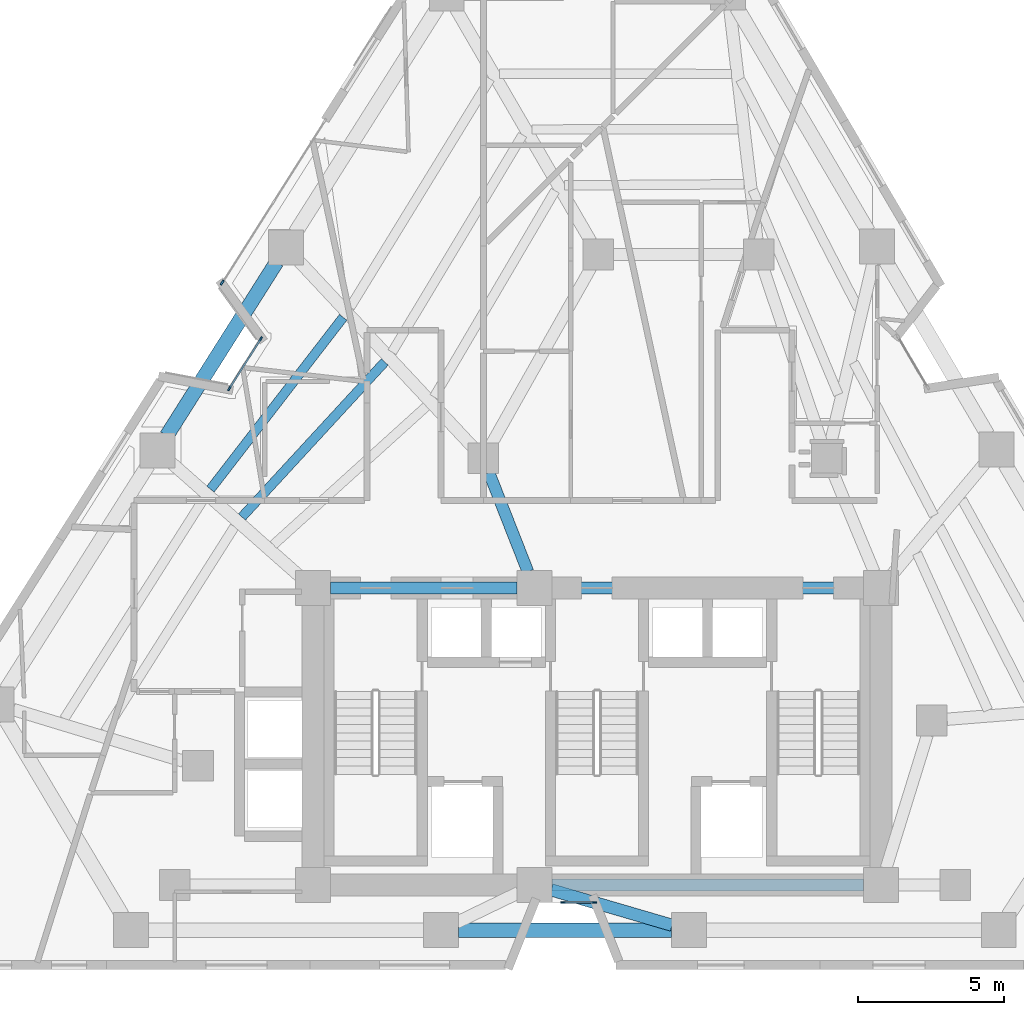
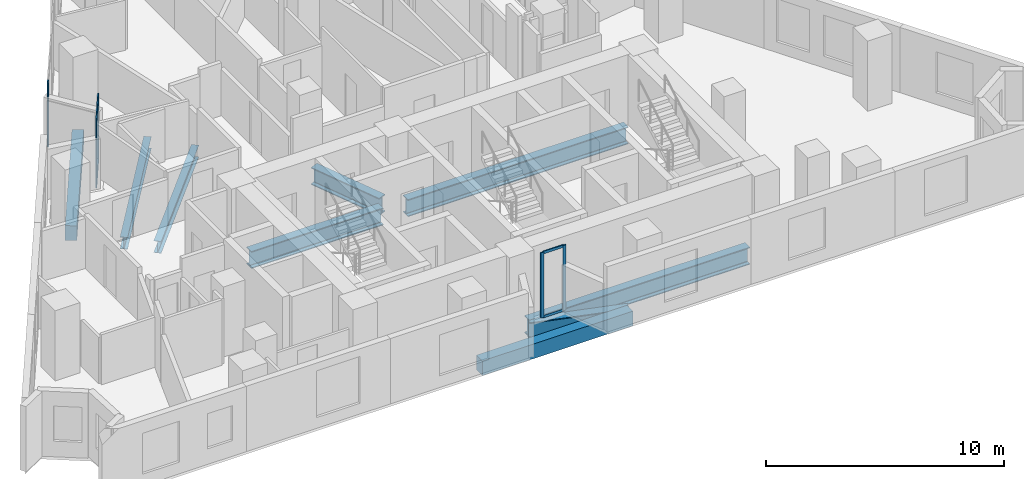
# One storey, part 2 of 12: 9 beams, 9 members, 3 elements without a shape of their own.
"""IFC4 building model written with IfcOpenShell, lengths in metres."""

from ifc_helpers import new_model, si_unit, direction, frame, origin, origin_2d, place, context, subcontext, project, spatial, rectangle, i_section, extrude, material, layer, layer_set, material_profile, profile_set, type_object, element, aggregate, save


model = new_model("IFC4")

# Units and contexts
model_context = context("Model", 3, precision=1e-05, world=origin(), true_north=direction((0.0, 1.0)))
body_context = subcontext(model_context, "Body", "Model", "MODEL_VIEW")
ifc_project = project(units=[si_unit("LENGTHUNIT", "METRE"), si_unit("AREAUNIT", "SQUARE_METRE"), si_unit("VOLUMEUNIT", "CUBIC_METRE"), si_unit("PLANEANGLEUNIT", "RADIAN"), si_unit("MASSUNIT", "GRAM", prefix="KILO")], contexts=[model_context])

# Site, building, storey
site_placement = place(None, origin())
site = spatial("IfcSite", under=ifc_project, at=site_placement, CompositionType="ELEMENT")
building_placement = place(site_placement, origin())
building = spatial("IfcBuilding", under=site, at=building_placement, Name="Almagre Mirador Tower", CompositionType="ELEMENT")
storey_placement = place(building_placement, frame((0.0, 0.0, 114.0)))
storey = spatial("IfcBuildingStorey", under=building, at=storey_placement, Name="L28", CompositionType="ELEMENT", Elevation=114.0)

# Beams
ifc_material_1 = material(Name="Steel ASTM A992 Grade 50", Category="steel")
ifc_material_profile_1 = material_profile(ifc_material_1, i_section(OverallWidth=0.323974609375, OverallDepth=0.611083984375, WebThickness=0.0126953125, FlangeThickness=0.01904296875, FilletRadius=0.02001953125, at=origin_2d()), Name="W24X104")
ifc_profile_set_1 = profile_set([ifc_material_profile_1], Name="Steel ASTM A992 Grade 50")
beam_type_1 = type_object("IfcBeamType", Name="BM-JST-W24X104", PredefinedType="JOIST", material=ifc_profile_set_1)
beam_1_placement = place(storey_placement, frame((28.585205078125, 24.04150390625, -0.555419921875), z_axis=(-0.611154781885, -0.791511107047, 0.0), x_axis=(0.791511107047, -0.611154781885, 0.0)))
element("IfcBeam", 1, at=beam_1_placement, inside=storey, type_object=beam_type_1, Name="L28 secondary floor joist PC10-PC11.1", PredefinedType="JOIST", context=body_context, shape_type="SweptSolid", body=[
    extrude(i_section(OverallWidth=0.323974609375, OverallDepth=0.611083984375, WebThickness=0.0126953125, FlangeThickness=0.01904296875, FilletRadius=0.02001953125, at=origin_2d()), origin(), (0.0, 0.0, 1.0), 7.45458984375),
])
beam_2_placement = place(storey_placement, frame((30.013671875, 22.511474609375, -0.555419921875), z_axis=(-0.677434935898, -0.735582699378, 0.0), x_axis=(0.735582699378, -0.677434935898, 0.0)))
element("IfcBeam", 2, at=beam_2_placement, inside=storey, type_object=beam_type_1, Name="L28 secondary floor joist PC10-PC11.2", PredefinedType="JOIST", context=body_context, shape_type="SweptSolid", body=[
    extrude(i_section(OverallWidth=0.323974609375, OverallDepth=0.611083984375, WebThickness=0.0126953125, FlangeThickness=0.01904296875, FilletRadius=0.02001953125, at=origin_2d()), origin(), (0.0, 0.0, 1.0), 7.238525390625),
])
ifc_material_2 = material(Name="Precast concrete C50/60", Category="concrete")
ifc_material_profile_2 = material_profile(ifc_material_2, rectangle(XDim=0.5, YDim=0.75, at=origin_2d()), Name="RC500X750")
ifc_profile_set_2 = profile_set([ifc_material_profile_2], Name="Precast concrete C50/60")
beam_type_2 = type_object("IfcBeamType", Name="BM-SPN-RC500X750", PredefinedType="SPANDREL", material=ifc_profile_set_2)
beam_3_placement = place(storey_placement, frame((32.5439453125, 3.0, -0.625), z_axis=(1.0, 0.0, 0.0), x_axis=(0.0, 1.0, 0.0)))
element("IfcBeam", 3, at=beam_3_placement, inside=storey, type_object=beam_type_2, Name="L28 perimeter spandrel beam PC02-PC03", PredefinedType="SPANDREL", context=body_context, shape_type="SweptSolid", body=[
    extrude(rectangle(XDim=0.5, YDim=0.75, at=origin_2d()), origin(), (0.0, 0.0, 1.0), 7.31201171875),
])
beam_4_placement = place(storey_placement, frame((26.301025390625, 25.93896484375, -0.625), z_axis=(-0.534879207885, -0.844928537198, 0.0), x_axis=(0.844928537198, -0.534879207885, 0.0)))
element("IfcBeam", 4, at=beam_4_placement, inside=storey, type_object=beam_type_2, Name="L28 perimeter spandrel beam PC10-PC11", PredefinedType="SPANDREL", context=body_context, shape_type="SweptSolid", body=[
    extrude(rectangle(XDim=0.5, YDim=0.75, at=origin_2d()), origin(), (0.0, 0.0, 1.0), 7.05615234375),
])
ifc_material_3 = material(Name="Steel ASTM A992 Grade 50", Category="steel")
ifc_material_profile_3 = material_profile(ifc_material_3, i_section(OverallWidth=0.404052734375, OverallDepth=0.884033203125, WebThickness=0.0244140625, FlangeThickness=0.0439453125, FilletRadius=0.02490234375, at=origin_2d()), Name="W33X291")
ifc_profile_set_3 = profile_set([ifc_material_profile_3], Name="Steel ASTM A992 Grade 50")
beam_type_3 = type_object("IfcBeamType", Name="BM-STL-W33X291", PredefinedType="BEAM", material=ifc_profile_set_3)
beam_5_placement = place(storey_placement, frame((35.75, 4.550048828125, -0.69189453125), z_axis=(1.0, 0.0, 0.0), x_axis=(0.0, 1.0, 0.0)))
element("IfcBeam", 5, at=beam_5_placement, inside=storey, type_object=beam_type_3, Name="L28 core tie girder CC2-CC3", PredefinedType="BEAM", context=body_context, shape_type="SweptSolid", body=[
    extrude(i_section(OverallWidth=0.404052734375, OverallDepth=0.884033203125, WebThickness=0.0244140625, FlangeThickness=0.0439453125, FilletRadius=0.02490234375, at=origin_2d()), origin(), (0.0, 0.0, 1.0), 10.699951171875),
])
beam_6_placement = place(storey_placement, frame((28.14990234375, 14.75, -0.69189453125), z_axis=(1.0, 0.0, 0.0), x_axis=(0.0, 1.0, 0.0)))
element("IfcBeam", 6, at=beam_6_placement, inside=storey, type_object=beam_type_3, Name="L28 core tie girder CC4-CC5", PredefinedType="BEAM", context=body_context, shape_type="SweptSolid", body=[
    extrude(i_section(OverallWidth=0.404052734375, OverallDepth=0.884033203125, WebThickness=0.0244140625, FlangeThickness=0.0439453125, FilletRadius=0.02490234375, at=origin_2d()), origin(), (0.0, 0.0, 1.0), 6.400146484375),
])
beam_7_placement = place(storey_placement, frame((35.75, 14.75, -0.69189453125), z_axis=(1.0, 0.0, 0.0), x_axis=(0.0, 1.0, 0.0)))
element("IfcBeam", 7, at=beam_7_placement, inside=storey, type_object=beam_type_3, Name="L28 core tie girder CC5-CC6", PredefinedType="BEAM", context=body_context, shape_type="SweptSolid", body=[
    extrude(i_section(OverallWidth=0.404052734375, OverallDepth=0.884033203125, WebThickness=0.0244140625, FlangeThickness=0.0439453125, FilletRadius=0.02490234375, at=origin_2d()), origin(), (0.0, 0.0, 1.0), 10.699951171875),
])
beam_8_placement = place(storey_placement, frame((33.592041015625, 18.71142578125, -0.69189453125), z_axis=(0.365997304164, -0.930615910752, 0.0), x_axis=(0.930615910752, 0.365997304164, 0.0)))
element("IfcBeam", 8, at=beam_8_placement, inside=storey, type_object=beam_type_3, Name="L28 core tie girder MC8-CC5", PredefinedType="BEAM", context=body_context, shape_type="SweptSolid", body=[
    extrude(i_section(OverallWidth=0.404052734375, OverallDepth=0.884033203125, WebThickness=0.0244140625, FlangeThickness=0.0439453125, FilletRadius=0.02490234375, at=origin_2d()), origin(), (0.0, 0.0, 1.0), 3.65673828125),
])
ifc_material_4 = material(Name="Steel ASTM A992 Grade 50", Category="steel")
ifc_material_profile_4 = material_profile(ifc_material_4, i_section(OverallWidth=0.423095703125, OverallDepth=0.947998046875, WebThickness=0.02392578125, FlangeThickness=0.042724609375, FilletRadius=0.028076171875, at=origin_2d()), Name="W36X302")
ifc_profile_set_4 = profile_set([ifc_material_profile_4], Name="Steel ASTM A992 Grade 50")
beam_type_4 = type_object("IfcBeamType", Name="BM-STL-W36X302", PredefinedType="BEAM", material=ifc_profile_set_4)
beam_9_placement = place(storey_placement, frame((39.880126953125, 3.168212890625, -0.72412109375), z_axis=(-0.959878605081, 0.280415875991, 0.0), x_axis=(-0.280415875991, -0.959878605081, 0.0)))
element("IfcBeam", 9, at=beam_9_placement, inside=storey, type_object=beam_type_4, Name="L28 radial floor girder PC03-CC2", PredefinedType="BEAM", context=body_context, shape_type="SweptSolid", body=[
    extrude(i_section(OverallWidth=0.423095703125, OverallDepth=0.947998046875, WebThickness=0.02392578125, FlangeThickness=0.042724609375, FilletRadius=0.028076171875, at=origin_2d()), origin(), (0.0, 0.0, 1.0), 4.327880859375),
])

# Curtain wall, members
ifc_material_5 = material(Name="Black anodized aluminium", Category="aluminium")
ifc_layer_1 = layer(ifc_material_5, 0.169921875)
ifc_layer_set_1 = layer_set([ifc_layer_1], Name="Black anodized aluminium")
curtain_wall_type_1 = type_object("IfcCurtainWallType", Name="CW-CRS-SYS", PredefinedType="NOTDEFINED", material=ifc_layer_set_1)
curtain_wall_1_placement = place(storey_placement, origin())
curtain_wall_1 = element("IfcCurtainWall", 10, at=curtain_wall_1_placement, inside=storey, type_object=curtain_wall_type_1, Name="L28 vertical crease curtain wall 01", PredefinedType="NOTDEFINED")
ifc_material_6 = material(Name="Black anodized aluminium", Category="aluminium")
ifc_material_profile_5 = material_profile(ifc_material_6, rectangle(XDim=0.06005859375, YDim=0.14990234375, at=origin_2d()), Name="CWM60X150")
ifc_profile_set_5 = profile_set([ifc_material_profile_5], Name="Black anodized aluminium")
member_type_1 = type_object("IfcMemberType", Name="MBR-CWM60X150", PredefinedType="MULLION", material=ifc_profile_set_5)
member_1_placement = place(storey_placement, frame((24.674072265625, 21.59228515625, 0.0), z_axis=(0.0, 0.0, 1.0), x_axis=(-0.844919983827, 0.534892719084, 0.0)))
member_1 = element("IfcMember", 11, at=member_1_placement, type_object=member_type_1, Name="CW-4 mullion 1", PredefinedType="MULLION", context=body_context, shape_type="SweptSolid", body=[
    extrude(rectangle(XDim=0.06005859375, YDim=0.14990234375, at=origin_2d()), origin(), (0.0, 0.0, 1.0), 3.35009765625),
])
member_2_placement = place(storey_placement, frame((25.760009765625, 23.3076171875, 0.0), z_axis=(0.0, 0.0, 1.0), x_axis=(-0.844919983827, 0.534892719084, 0.0)))
member_2 = element("IfcMember", 12, at=member_2_placement, type_object=member_type_1, Name="CW-4 mullion 2", PredefinedType="MULLION", context=body_context, shape_type="SweptSolid", body=[
    extrude(rectangle(XDim=0.06005859375, YDim=0.14990234375, at=origin_2d()), origin(), (0.0, 0.0, 1.0), 3.35009765625),
])

curtain_wall_2_placement = place(storey_placement, origin())
curtain_wall_2 = element("IfcCurtainWall", 13, at=curtain_wall_2_placement, inside=storey, type_object=curtain_wall_type_1, Name="L28 vertical crease curtain wall 04", PredefinedType="NOTDEFINED")
member_3_placement = place(storey_placement, frame((37.215087890625, 3.949951171875, 0.0), z_axis=(0.0, 0.0, 1.0), x_axis=(0.0, -1.0, 0.0)))
member_3 = element("IfcMember", 14, at=member_3_placement, type_object=member_type_1, Name="CW-4 mullion 1", PredefinedType="MULLION", context=body_context, shape_type="SweptSolid", body=[
    extrude(rectangle(XDim=0.06005859375, YDim=0.14990234375, at=origin_2d()), origin(), (0.0, 0.0, 1.0), 3.35009765625),
])
member_4_placement = place(storey_placement, frame((36.139892578125, 3.949951171875, 0.0), z_axis=(0.0, 0.0, 1.0), x_axis=(0.0, -1.0, 0.0)))
member_4 = element("IfcMember", 15, at=member_4_placement, type_object=member_type_1, Name="CW-4 mullion 2", PredefinedType="MULLION", context=body_context, shape_type="SweptSolid", body=[
    extrude(rectangle(XDim=0.06005859375, YDim=0.14990234375, at=origin_2d()), origin(), (0.0, 0.0, 1.0), 3.35009765625),
])

# Curtain wall, member
ifc_material_7 = material(Name="Black anodized aluminium", Category="aluminium")
ifc_layer_2 = layer(ifc_material_7, 0.199951171875)
ifc_layer_set_2 = layer_set([ifc_layer_2], Name="Black anodized aluminium")
curtain_wall_type_2 = type_object("IfcCurtainWallType", Name="CW-RES-H-SYS", PredefinedType="NOTDEFINED", material=ifc_layer_set_2)
curtain_wall_3_placement = place(storey_placement, origin())
curtain_wall_3 = element("IfcCurtainWall", 16, at=curtain_wall_3_placement, inside=storey, type_object=curtain_wall_type_2, Name="L28 curtain wall run 02", PredefinedType="NOTDEFINED")
ifc_material_8 = material(Name="Black anodized aluminium", Category="aluminium")
ifc_material_profile_6 = material_profile(ifc_material_8, rectangle(XDim=0.06494140625, YDim=0.179931640625, at=origin_2d()), Name="CWM65X180")
ifc_profile_set_6 = profile_set([ifc_material_profile_6], Name="Black anodized aluminium")
member_type_2 = type_object("IfcMemberType", Name="MBR-CWM65X180", PredefinedType="MULLION", material=ifc_profile_set_6)
member_5_placement = place(storey_placement, frame((24.433349609375, 25.232421875, 0.0), z_axis=(0.0, 0.0, 1.0), x_axis=(-0.844923540641, 0.534887100678, 0.0)))
member_5 = element("IfcMember", 17, at=member_5_placement, type_object=member_type_2, Name="CW-3 mullion 1", PredefinedType="MULLION", context=body_context, shape_type="SweptSolid", body=[
    extrude(rectangle(XDim=0.06494140625, YDim=0.179931640625, at=origin_2d()), origin(), (0.0, 0.0, 1.0), 3.35009765625),
])
aggregate(curtain_wall_3, [member_5])

# Member
ifc_material_9 = material(Name="Black anodized aluminium", Category="aluminium")
ifc_material_profile_7 = material_profile(ifc_material_9, rectangle(XDim=0.06005859375, YDim=0.1298828125, at=origin_2d()), Name="CWT60X130")
ifc_profile_set_7 = profile_set([ifc_material_profile_7], Name="Black anodized aluminium")
member_type_3 = type_object("IfcMemberType", Name="MBR-CWT60X130", PredefinedType="USERDEFINED", material=ifc_profile_set_7)
member_6_placement = place(storey_placement, frame((24.690185546875, 21.61767578125, 0.030029296875), z_axis=(0.534869273761, 0.844934825881, 0.0), x_axis=(-0.844934825881, 0.534869273761, 0.0)))
member_6 = element("IfcMember", 18, at=member_6_placement, type_object=member_type_3, Name="CW-4 transom 1.1", ObjectType="TRANSOM", PredefinedType="USERDEFINED", context=body_context, shape_type="SweptSolid", body=[
    extrude(rectangle(XDim=0.06005859375, YDim=0.1298828125, at=origin_2d()), origin(), (0.0, 0.0, 1.0), 1.969970703125),
])

member_7_placement = place(storey_placement, frame((24.690185546875, 21.61767578125, 3.320068359375), z_axis=(0.534869273761, 0.844934825881, 0.0), x_axis=(-0.844934825881, 0.534869273761, 0.0)))
member_7 = element("IfcMember", 19, at=member_7_placement, type_object=member_type_3, Name="CW-4 transom 1.2", ObjectType="TRANSOM", PredefinedType="USERDEFINED", context=body_context, shape_type="SweptSolid", body=[
    extrude(rectangle(XDim=0.06005859375, YDim=0.1298828125, at=origin_2d()), origin(), (0.0, 0.0, 1.0), 1.969970703125),
])

aggregate(curtain_wall_1, [member_1, member_2, member_6, member_7])

member_8_placement = place(storey_placement, frame((37.18505859375, 3.949951171875, 0.030029296875), z_axis=(-1.0, 0.0, 0.0), x_axis=(0.0, -1.0, 0.0)))
member_8 = element("IfcMember", 20, at=member_8_placement, type_object=member_type_3, Name="CW-4 transom 1.1", ObjectType="TRANSOM", PredefinedType="USERDEFINED", context=body_context, shape_type="SweptSolid", body=[
    extrude(rectangle(XDim=0.06005859375, YDim=0.1298828125, at=origin_2d()), origin(), (0.0, 0.0, 1.0), 1.01513671875),
])

member_9_placement = place(storey_placement, frame((37.18505859375, 3.949951171875, 3.320068359375), z_axis=(-1.0, 0.0, 0.0), x_axis=(0.0, -1.0, 0.0)))
member_9 = element("IfcMember", 21, at=member_9_placement, type_object=member_type_3, Name="CW-4 transom 1.2", ObjectType="TRANSOM", PredefinedType="USERDEFINED", context=body_context, shape_type="SweptSolid", body=[
    extrude(rectangle(XDim=0.06005859375, YDim=0.1298828125, at=origin_2d()), origin(), (0.0, 0.0, 1.0), 1.01513671875),
])

aggregate(curtain_wall_2, [member_3, member_4, member_8, member_9])

save(model, "model.ifc")
